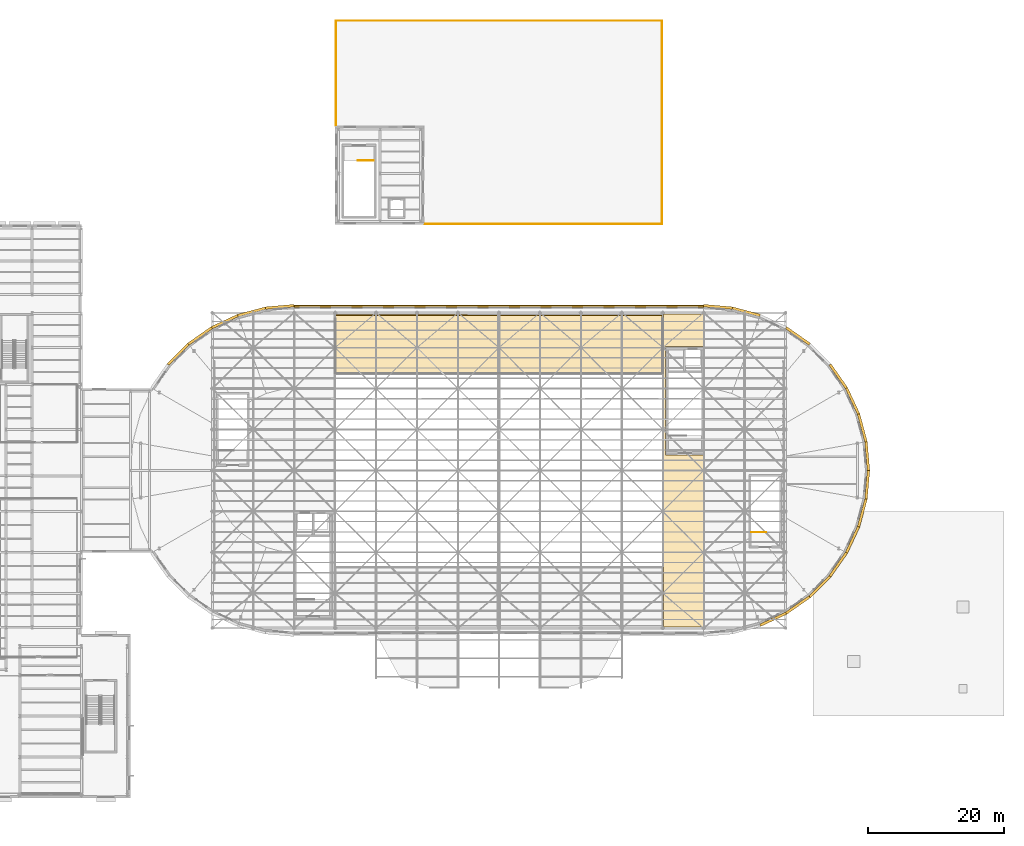
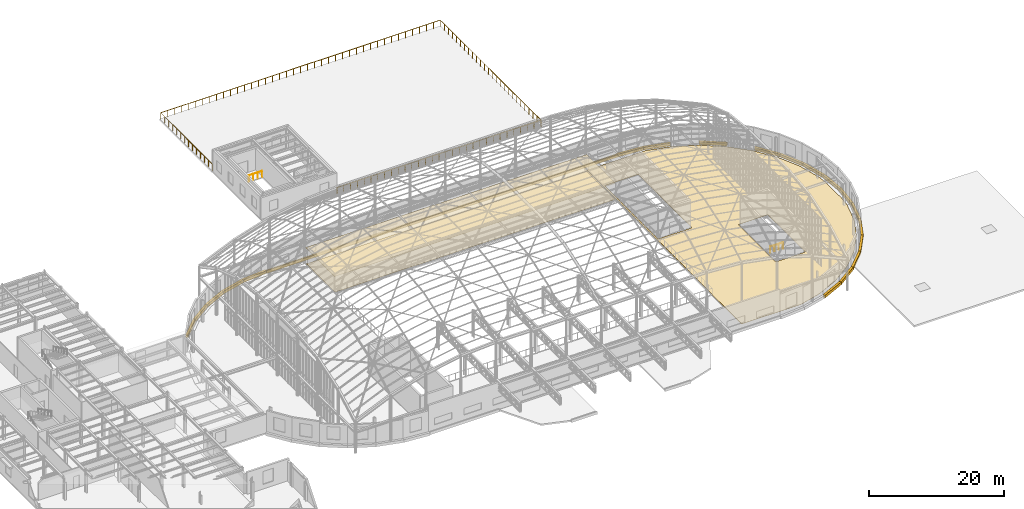
# One storey, part 74 of 75: 23 coverings, 3 railings.
"""IFC4 building model written with IfcOpenShell, lengths in metres."""

from ifc_helpers import new_model, si_unit, direction, frame, origin, origin_2d, place, context, subcontext, project, spatial, polyline, circle, outline, extrude, material, layer, layer_set, type_object, element, save


model = new_model("IFC4")

# Units and contexts
model_context = context("Model", 3, precision=1e-05, world=origin(), true_north=direction((0.0, 1.0)))
body_context = subcontext(model_context, "Body", "Model", "MODEL_VIEW")
ifc_project = project(units=[si_unit("LENGTHUNIT", "METRE"), si_unit("AREAUNIT", "SQUARE_METRE"), si_unit("VOLUMEUNIT", "CUBIC_METRE"), si_unit("PLANEANGLEUNIT", "RADIAN"), si_unit("MASSUNIT", "GRAM", prefix="KILO")], contexts=[model_context])

# Site, building, storey
site_placement = place(None, origin())
site = spatial("IfcSite", under=ifc_project, at=site_placement, CompositionType="ELEMENT")
building_placement = place(site_placement, origin())
building = spatial("IfcBuilding", under=site, at=building_placement, Name="Kolvaren Corner Interchange", CompositionType="ELEMENT")
storey_placement = place(building_placement, frame((0.0, 0.0, 10.5)))
storey = spatial("IfcBuildingStorey", under=building, at=storey_placement, Name="L03", CompositionType="ELEMENT", Elevation=10.5)

# Coverings
ifc_material_1 = material(Name="Suspended Acoustic Mineral-Fibre Ceiling")
ifc_layer_1 = layer(ifc_material_1, 0.02197265625)
ifc_layer_set_1 = layer_set([ifc_layer_1], Name="Suspended Acoustic Mineral-Fibre Ceiling")
covering_type_1 = type_object("IfcCoveringType", Name="COV-CEIL-AC22", PredefinedType="CEILING", material=ifc_layer_set_1)
covering_1_placement = place(storey_placement, frame((0.0, 0.0, 2.927978515625)))
element("IfcCovering", 1, at=covering_1_placement, inside=storey, type_object=covering_type_1, Name="L03 North Sky Lounge Suite Suspended Ceiling", PredefinedType="CEILING", context=body_context, shape_type="SweptSolid", body=[
    extrude(outline(polyline([(114.0, 62.179931640625), (114.02001953125, 70.800048828125), (66.0, 70.820068359375), (65.97998046875, 62.199951171875), (114.0, 62.179931640625)])), origin(), (0.0, 0.0, 1.0), 0.02197265625),
])
ifc_material_2 = material(Name="Polished Niger Delta Granite Terrazzo Flooring", Category="masonry")
ifc_layer_2 = layer(ifc_material_2, 0.030029296875)
ifc_layer_set_2 = layer_set([ifc_layer_2], Name="Polished Niger Delta Granite Terrazzo Flooring")
covering_type_2 = type_object("IfcCoveringType", Name="COV-FLR-TER30", PredefinedType="FLOORING", material=ifc_layer_set_2)
covering_2_placement = place(storey_placement, origin())
element("IfcCovering", 2, at=covering_2_placement, inside=storey, type_object=covering_type_2, Name="L03 East Sky Waiting Hall Floor Finish", PredefinedType="FLOORING", context=body_context, shape_type="SweptSolid", body=[
    extrude(outline(polyline([(114.080078125, 33.8759765625), (114.080078125, 25.080078125), (124.218994140625, 25.080078125), (127.975830078125, 26.086669921875), (131.659912109375, 27.804443359375), (134.989501953125, 30.135986328125), (137.864013671875, 33.010498046875), (140.195556640625, 36.340087890625), (141.913330078125, 40.024169921875), (142.96533203125, 43.950439453125), (143.1201171875, 45.717529296875), (143.1201171875, 50.282470703125), (142.96533203125, 52.049560546875), (141.913330078125, 55.975830078125), (140.195556640625, 59.659912109375), (137.864013671875, 62.989501953125), (134.989501953125, 65.864013671875), (131.659912109375, 68.195556640625), (127.975830078125, 69.913330078125), (124.218994140625, 70.919921875), (114.080078125, 70.919921875), (114.080078125, 62.1240234375), (114.116455078125, 62.094482421875), (114.1298828125, 62.050048828125), (114.1298828125, 33.949951171875), (114.116455078125, 33.905517578125), (114.080078125, 33.8759765625)]), holes=[polyline([(131.506591796875, 36.493408203125), (131.449951171875, 36.469970703125), (126.550048828125, 36.469970703125), (126.505615234375, 36.4833984375), (126.47607421875, 36.519287109375), (126.469970703125, 47.449951171875), (126.4833984375, 47.494384765625), (126.519287109375, 47.52392578125), (131.449951171875, 47.530029296875), (131.494384765625, 47.5166015625), (131.52392578125, 47.480712890625), (131.530029296875, 36.550048828125), (131.506591796875, 36.493408203125)]), polyline([(120.106689453125, 66.106689453125), (120.1298828125, 66.050048828125), (120.126708984375, 50.326904296875), (120.094482421875, 50.283447265625), (120.050048828125, 50.27001953125), (114.4267578125, 50.2734375), (114.383544921875, 50.3056640625), (114.3701171875, 50.35009765625), (114.373291015625, 66.0732421875), (114.405517578125, 66.116455078125), (114.449951171875, 66.1298828125), (120.050048828125, 66.1298828125), (120.106689453125, 66.106689453125)])]), origin(), (0.0, 0.0, 1.0), 0.030029296875),
])
covering_3_placement = place(storey_placement, origin())
element("IfcCovering", 3, at=covering_3_placement, inside=storey, type_object=covering_type_2, Name="L03 North Sky Lounge Suite Floor Finish", PredefinedType="FLOORING", context=body_context, shape_type="SweptSolid", body=[
    extrude(outline(polyline([(113.919921875, 62.280029296875), (113.919921875, 70.719970703125), (66.080078125, 70.719970703125), (66.080078125, 62.280029296875), (113.919921875, 62.280029296875)])), origin(), (0.0, 0.0, 1.0), 0.030029296875),
])
ifc_material_3 = material(Name="Glazed White Terracotta Fascia Cladding", Category="masonry")
ifc_layer_3 = layer(ifc_material_3, 0.0400390625)
ifc_layer_set_3 = layer_set([ifc_layer_3], Name="Glazed White Terracotta Fascia Cladding")
covering_type_3 = type_object("IfcCoveringType", Name="COV-WHT-CLAD40", PredefinedType="CLADDING", material=ifc_layer_set_3)
covering_4_placement = place(storey_placement, frame((0.0, 0.0, -0.320068359375)))
element("IfcCovering", 4, at=covering_4_placement, inside=storey, type_object=covering_type_3, Name="Racetrack North L03 White Band", PredefinedType="CLADDING", context=body_context, shape_type="SweptSolid", body=[
    extrude(outline(polyline([(60.0, 71.93994140625), (120.0, 71.93994140625), (120.0, 72.179931640625), (60.0, 72.179931640625), (60.0, 71.93994140625)])), origin(), (0.0, 0.0, 1.0), 0.5),
])
covering_5_placement = place(storey_placement, frame((0.0, 0.0, -0.320068359375)))
element("IfcCovering", 5, at=covering_5_placement, inside=storey, type_object=covering_type_3, Name="Racetrack West L03 Sweeping White Edge Band 01", PredefinedType="CLADDING", context=body_context, shape_type="SweptSolid", body=[
    extrude(outline(polyline([(60.0, 71.9599609375), (60.0, 72.340087890625), (55.7734375, 71.97021484375), (55.83935546875, 71.595947265625), (60.0, 71.9599609375)])), origin(), (0.0, 0.0, 1.0), 0.5),
])
covering_6_placement = place(storey_placement, frame((0.0, 0.0, -0.320068359375)))
element("IfcCovering", 6, at=covering_6_placement, inside=storey, type_object=covering_type_3, Name="Racetrack West L03 Sweeping White Edge Band 02", PredefinedType="CLADDING", context=body_context, shape_type="SweptSolid", body=[
    extrude(outline(polyline([(55.83935546875, 71.595947265625), (55.7734375, 71.97021484375), (51.67529296875, 70.8720703125), (51.80517578125, 70.514892578125), (55.83935546875, 71.595947265625)])), origin(), (0.0, 0.0, 1.0), 0.5),
])
covering_7_placement = place(storey_placement, frame((0.0, 0.0, -0.320068359375)))
element("IfcCovering", 7, at=covering_7_placement, inside=storey, type_object=covering_type_3, Name="Racetrack West L03 Sweeping White Edge Band 03", PredefinedType="CLADDING", context=body_context, shape_type="SweptSolid", body=[
    extrude(outline(polyline([(51.80517578125, 70.514892578125), (51.67529296875, 70.8720703125), (47.830078125, 69.0791015625), (48.02001953125, 68.75), (51.80517578125, 70.514892578125)])), origin(), (0.0, 0.0, 1.0), 0.5),
])
covering_8_placement = place(storey_placement, frame((0.0, 0.0, -0.320068359375)))
element("IfcCovering", 8, at=covering_8_placement, inside=storey, type_object=covering_type_3, Name="Racetrack West L03 Sweeping White Edge Band 04", PredefinedType="CLADDING", context=body_context, shape_type="SweptSolid", body=[
    extrude(outline(polyline([(48.02001953125, 68.75), (47.830078125, 69.0791015625), (44.3544921875, 66.6455078125), (44.598876953125, 66.3544921875), (48.02001953125, 68.75)])), origin(), (0.0, 0.0, 1.0), 0.5),
])
covering_9_placement = place(storey_placement, frame((0.0, 0.0, -0.320068359375)))
element("IfcCovering", 9, at=covering_9_placement, inside=storey, type_object=covering_type_3, Name="Racetrack West L03 Sweeping White Edge Band 05", PredefinedType="CLADDING", context=body_context, shape_type="SweptSolid", body=[
    extrude(outline(polyline([(44.598876953125, 66.3544921875), (44.3544921875, 66.6455078125), (41.3544921875, 63.6455078125), (41.6455078125, 63.401123046875), (44.598876953125, 66.3544921875)])), origin(), (0.0, 0.0, 1.0), 0.5),
])
covering_10_placement = place(storey_placement, frame((0.0, 0.0, -0.320068359375)))
element("IfcCovering", 10, at=covering_10_placement, inside=storey, type_object=covering_type_3, Name="Racetrack East L03 Sweeping White Edge Band 03", PredefinedType="CLADDING", context=body_context, shape_type="SweptSolid", body=[
    extrude(outline(polyline([(128.19482421875, 25.485107421875), (128.32470703125, 25.1279296875), (132.169921875, 26.9208984375), (131.97998046875, 27.25), (128.19482421875, 25.485107421875)])), origin(), (0.0, 0.0, 1.0), 0.5),
])
covering_11_placement = place(storey_placement, frame((0.0, 0.0, -0.320068359375)))
element("IfcCovering", 11, at=covering_11_placement, inside=storey, type_object=covering_type_3, Name="Racetrack East L03 Sweeping White Edge Band 04", PredefinedType="CLADDING", context=body_context, shape_type="SweptSolid", body=[
    extrude(outline(polyline([(131.97998046875, 27.25), (132.169921875, 26.9208984375), (135.6455078125, 29.3544921875), (135.401123046875, 29.6455078125), (131.97998046875, 27.25)])), origin(), (0.0, 0.0, 1.0), 0.5),
])
covering_12_placement = place(storey_placement, frame((0.0, 0.0, -0.320068359375)))
element("IfcCovering", 12, at=covering_12_placement, inside=storey, type_object=covering_type_3, Name="Racetrack East L03 Sweeping White Edge Band 05", PredefinedType="CLADDING", context=body_context, shape_type="SweptSolid", body=[
    extrude(outline(polyline([(135.401123046875, 29.6455078125), (135.6455078125, 29.3544921875), (138.6455078125, 32.3544921875), (138.3544921875, 32.598876953125), (135.401123046875, 29.6455078125)])), origin(), (0.0, 0.0, 1.0), 0.5),
])
covering_13_placement = place(storey_placement, frame((0.0, 0.0, -0.320068359375)))
element("IfcCovering", 13, at=covering_13_placement, inside=storey, type_object=covering_type_3, Name="Racetrack East L03 Sweeping White Edge Band 06", PredefinedType="CLADDING", context=body_context, shape_type="SweptSolid", body=[
    extrude(outline(polyline([(138.3544921875, 32.598876953125), (138.6455078125, 32.3544921875), (141.0791015625, 35.830078125), (140.75, 36.02001953125), (138.3544921875, 32.598876953125)])), origin(), (0.0, 0.0, 1.0), 0.5),
])
covering_14_placement = place(storey_placement, frame((0.0, 0.0, -0.320068359375)))
element("IfcCovering", 14, at=covering_14_placement, inside=storey, type_object=covering_type_3, Name="Racetrack East L03 Sweeping White Edge Band 07", PredefinedType="CLADDING", context=body_context, shape_type="SweptSolid", body=[
    extrude(outline(polyline([(140.75, 36.02001953125), (141.0791015625, 35.830078125), (142.8720703125, 39.67529296875), (142.514892578125, 39.80517578125), (140.75, 36.02001953125)])), origin(), (0.0, 0.0, 1.0), 0.5),
])
covering_15_placement = place(storey_placement, frame((0.0, 0.0, -0.320068359375)))
element("IfcCovering", 15, at=covering_15_placement, inside=storey, type_object=covering_type_3, Name="Racetrack East L03 Sweeping White Edge Band 08", PredefinedType="CLADDING", context=body_context, shape_type="SweptSolid", body=[
    extrude(outline(polyline([(142.514892578125, 39.80517578125), (142.8720703125, 39.67529296875), (143.97021484375, 43.7734375), (143.595947265625, 43.83935546875), (142.514892578125, 39.80517578125)])), origin(), (0.0, 0.0, 1.0), 0.5),
])
covering_16_placement = place(storey_placement, frame((0.0, 0.0, -0.320068359375)))
element("IfcCovering", 16, at=covering_16_placement, inside=storey, type_object=covering_type_3, Name="Racetrack East L03 Sweeping White Edge Band 09", PredefinedType="CLADDING", context=body_context, shape_type="SweptSolid", body=[
    extrude(outline(polyline([(143.595947265625, 43.83935546875), (143.97021484375, 43.7734375), (144.340087890625, 48.0), (143.9599609375, 48.0), (143.595947265625, 43.83935546875)])), origin(), (0.0, 0.0, 1.0), 0.5),
])
covering_17_placement = place(storey_placement, frame((0.0, 0.0, -0.320068359375)))
element("IfcCovering", 17, at=covering_17_placement, inside=storey, type_object=covering_type_3, Name="Racetrack East L03 Sweeping White Edge Band 10", PredefinedType="CLADDING", context=body_context, shape_type="SweptSolid", body=[
    extrude(outline(polyline([(143.9599609375, 48.0), (144.340087890625, 48.0), (143.97021484375, 52.2265625), (143.595947265625, 52.16064453125), (143.9599609375, 48.0)])), origin(), (0.0, 0.0, 1.0), 0.5),
])
covering_18_placement = place(storey_placement, frame((0.0, 0.0, -0.320068359375)))
element("IfcCovering", 18, at=covering_18_placement, inside=storey, type_object=covering_type_3, Name="Racetrack East L03 Sweeping White Edge Band 11", PredefinedType="CLADDING", context=body_context, shape_type="SweptSolid", body=[
    extrude(outline(polyline([(143.595947265625, 52.16064453125), (143.97021484375, 52.2265625), (142.8720703125, 56.32470703125), (142.514892578125, 56.19482421875), (143.595947265625, 52.16064453125)])), origin(), (0.0, 0.0, 1.0), 0.5),
])
covering_19_placement = place(storey_placement, frame((0.0, 0.0, -0.320068359375)))
element("IfcCovering", 19, at=covering_19_placement, inside=storey, type_object=covering_type_3, Name="Racetrack East L03 Sweeping White Edge Band 12", PredefinedType="CLADDING", context=body_context, shape_type="SweptSolid", body=[
    extrude(outline(polyline([(142.514892578125, 56.19482421875), (142.8720703125, 56.32470703125), (141.0791015625, 60.169921875), (140.75, 59.97998046875), (142.514892578125, 56.19482421875)])), origin(), (0.0, 0.0, 1.0), 0.5),
])
covering_20_placement = place(storey_placement, frame((0.0, 0.0, -0.320068359375)))
element("IfcCovering", 20, at=covering_20_placement, inside=storey, type_object=covering_type_3, Name="Racetrack East L03 Sweeping White Edge Band 13", PredefinedType="CLADDING", context=body_context, shape_type="SweptSolid", body=[
    extrude(outline(polyline([(140.75, 59.97998046875), (141.0791015625, 60.169921875), (138.6455078125, 63.6455078125), (138.3544921875, 63.401123046875), (140.75, 59.97998046875)])), origin(), (0.0, 0.0, 1.0), 0.5),
])
covering_21_placement = place(storey_placement, frame((0.0, 0.0, -0.320068359375)))
element("IfcCovering", 21, at=covering_21_placement, inside=storey, type_object=covering_type_3, Name="Racetrack East L03 Sweeping White Edge Band 15", PredefinedType="CLADDING", context=body_context, shape_type="SweptSolid", body=[
    extrude(outline(polyline([(135.401123046875, 66.3544921875), (135.6455078125, 66.6455078125), (132.169921875, 69.0791015625), (131.97998046875, 68.75), (135.401123046875, 66.3544921875)])), origin(), (0.0, 0.0, 1.0), 0.5),
])
covering_22_placement = place(storey_placement, frame((0.0, 0.0, -0.320068359375)))
element("IfcCovering", 22, at=covering_22_placement, inside=storey, type_object=covering_type_3, Name="Racetrack East L03 Sweeping White Edge Band 17", PredefinedType="CLADDING", context=body_context, shape_type="SweptSolid", body=[
    extrude(outline(polyline([(128.19482421875, 70.514892578125), (128.32470703125, 70.8720703125), (124.2265625, 71.97021484375), (124.16064453125, 71.595947265625), (128.19482421875, 70.514892578125)])), origin(), (0.0, 0.0, 1.0), 0.5),
])
covering_23_placement = place(storey_placement, frame((0.0, 0.0, -0.320068359375)))
element("IfcCovering", 23, at=covering_23_placement, inside=storey, type_object=covering_type_3, Name="Racetrack East L03 Sweeping White Edge Band 18", PredefinedType="CLADDING", context=body_context, shape_type="SweptSolid", body=[
    extrude(outline(polyline([(124.16064453125, 71.595947265625), (124.2265625, 71.97021484375), (120.0, 72.340087890625), (120.0, 71.9599609375), (124.16064453125, 71.595947265625)])), origin(), (0.0, 0.0, 1.0), 0.5),
])

# Railings
ifc_material_4 = material(Name="Powder-Coated Steel Stairwell Guardrail", Category="steel")
railing_type_1 = type_object("IfcRailingType", Name="RLT-STAIR-GRD1120", PredefinedType="GUARDRAIL", material=ifc_material_4)
railing_1_placement = place(storey_placement, frame((126.9599609375, 38.93994140625, 0.0)))
element("IfcRailing", 24, at=railing_1_placement, inside=storey, type_object=railing_type_1, Name="East Racetrack Concourse Gallery Stair L03 Landing Edge Guardrail", PredefinedType="GUARDRAIL", context=body_context, shape_type="SweptSolid", body=[
    extrude(circle(Radius=0.02392578125, at=origin_2d()), frame((0.0, 0.0, 1.09619140625), z_axis=(1.0, 0.0, 0.0), x_axis=(0.0, 1.0, 0.0)), (0.0, 0.0, 1.0), 2.179931640625),
    extrude(circle(Radius=0.02001953125, at=origin_2d()), origin(), (0.0, 0.0, 1.0), 1.072021484375),
    extrude(circle(Radius=0.02001953125, at=origin_2d()), frame((0.7265625, 0.0, 0.0)), (0.0, 0.0, 1.0), 1.072021484375),
    extrude(circle(Radius=0.02001953125, at=origin_2d()), frame((1.453369140625, 0.0, 0.0)), (0.0, 0.0, 1.0), 1.072021484375),
    extrude(circle(Radius=0.02001953125, at=origin_2d()), frame((2.179931640625, 0.0, 0.0)), (0.0, 0.0, 1.0), 1.072021484375),
])
railing_2_placement = place(storey_placement, frame((71.639892578125, 93.409912109375, 0.0)))
element("IfcRailing", 25, at=railing_2_placement, inside=storey, type_object=railing_type_1, Name="Cycle Hub West Pavilion Exit Stair L03 Landing Edge Guardrail", PredefinedType="GUARDRAIL", context=body_context, shape_type="SweptSolid", body=[
    extrude(circle(Radius=0.02392578125, at=origin_2d()), frame((0.0, 0.0, 1.09619140625), z_axis=(-1.0, 0.0, 0.0), x_axis=(0.0, -1.0, 0.0)), (0.0, 0.0, 1.0), 2.27978515625),
    extrude(circle(Radius=0.02001953125, at=origin_2d()), origin(), (0.0, 0.0, 1.0), 1.072021484375),
    extrude(circle(Radius=0.02001953125, at=origin_2d()), frame((-0.760009765625, 0.0, 0.0)), (0.0, 0.0, 1.0), 1.072021484375),
    extrude(circle(Radius=0.02001953125, at=origin_2d()), frame((-1.519775390625, 0.0, 0.0)), (0.0, 0.0, 1.0), 1.072021484375),
    extrude(circle(Radius=0.02001953125, at=origin_2d()), frame((-2.27978515625, 0.0, 0.0)), (0.0, 0.0, 1.0), 1.072021484375),
])
ifc_material_5 = material(Name="Anodised Aluminium and Laminated Glass Balustrade", Category="aluminium")
railing_type_2 = type_object("IfcRailingType", Name="RLT-TERR-BAL1150", PredefinedType="BALUSTRADE", material=ifc_material_5)
railing_3_placement = place(storey_placement, frame((79.0400390625, 84.1201171875, 0.0)))
element("IfcRailing", 26, at=railing_3_placement, inside=storey, type_object=railing_type_2, Name="Level 03 Cycle Roof Garden Perimeter Balustrade", PredefinedType="BALUSTRADE", context=body_context, shape_type="SweptSolid", body=[
    extrude(circle(Radius=0.02490234375, at=origin_2d()), frame((0.0, 0.0, 1.125), z_axis=(1.0, 0.0, 0.0), x_axis=(0.0, 1.0, 0.0)), (0.0, 0.0, 1.0), 34.83984375),
    extrude(circle(Radius=0.02490234375, at=origin_2d()), frame((34.83984375, 0.0, 1.125), z_axis=(0.0, 1.0, 0.0), x_axis=(-1.0, 0.0, 0.0)), (0.0, 0.0, 1.0), 29.759765625),
    extrude(circle(Radius=0.02490234375, at=origin_2d()), frame((34.83984375, 29.759765625, 1.125), z_axis=(-1.0, 0.0, 0.0), x_axis=(0.0, -1.0, 0.0)), (0.0, 0.0, 1.0), 47.759765625),
    extrude(circle(Radius=0.02490234375, at=origin_2d()), frame((-12.919921875, 29.759765625, 1.125), z_axis=(0.0, -1.0, 0.0), x_axis=(1.0, 0.0, 0.0)), (0.0, 0.0, 1.0), 15.33984375),
    extrude(circle(Radius=0.02197265625, at=origin_2d()), origin(), (0.0, 0.0, 1.0), 1.099853515625),
    extrude(circle(Radius=0.02197265625, at=origin_2d()), frame((1.161376953125, 0.0, 0.0)), (0.0, 0.0, 1.0), 1.099853515625),
    extrude(circle(Radius=0.02197265625, at=origin_2d()), frame((2.32275390625, 0.0, 0.0)), (0.0, 0.0, 1.0), 1.099853515625),
    extrude(circle(Radius=0.02197265625, at=origin_2d()), frame((3.48388671875, 0.0, 0.0)), (0.0, 0.0, 1.0), 1.099853515625),
    extrude(circle(Radius=0.02197265625, at=origin_2d()), frame((4.645263671875, 0.0, 0.0)), (0.0, 0.0, 1.0), 1.099853515625),
    extrude(circle(Radius=0.02197265625, at=origin_2d()), frame((5.806640625, 0.0, 0.0)), (0.0, 0.0, 1.0), 1.099853515625),
    extrude(circle(Radius=0.02197265625, at=origin_2d()), frame((6.968017578125, 0.0, 0.0)), (0.0, 0.0, 1.0), 1.099853515625),
    extrude(circle(Radius=0.02197265625, at=origin_2d()), frame((8.12939453125, 0.0, 0.0)), (0.0, 0.0, 1.0), 1.099853515625),
    extrude(circle(Radius=0.02197265625, at=origin_2d()), frame((9.29052734375, 0.0, 0.0)), (0.0, 0.0, 1.0), 1.099853515625),
    extrude(circle(Radius=0.02197265625, at=origin_2d()), frame((10.451904296875, 0.0, 0.0)), (0.0, 0.0, 1.0), 1.099853515625),
    extrude(circle(Radius=0.02197265625, at=origin_2d()), frame((11.61328125, 0.0, 0.0)), (0.0, 0.0, 1.0), 1.099853515625),
    extrude(circle(Radius=0.02197265625, at=origin_2d()), frame((12.774658203125, 0.0, 0.0)), (0.0, 0.0, 1.0), 1.099853515625),
    extrude(circle(Radius=0.02197265625, at=origin_2d()), frame((13.93603515625, 0.0, 0.0)), (0.0, 0.0, 1.0), 1.099853515625),
    extrude(circle(Radius=0.02197265625, at=origin_2d()), frame((15.09716796875, 0.0, 0.0)), (0.0, 0.0, 1.0), 1.099853515625),
    extrude(circle(Radius=0.02197265625, at=origin_2d()), frame((16.258544921875, 0.0, 0.0)), (0.0, 0.0, 1.0), 1.099853515625),
    extrude(circle(Radius=0.02197265625, at=origin_2d()), frame((17.419921875, 0.0, 0.0)), (0.0, 0.0, 1.0), 1.099853515625),
    extrude(circle(Radius=0.02197265625, at=origin_2d()), frame((18.581298828125, 0.0, 0.0)), (0.0, 0.0, 1.0), 1.099853515625),
    extrude(circle(Radius=0.02197265625, at=origin_2d()), frame((19.74267578125, 0.0, 0.0)), (0.0, 0.0, 1.0), 1.099853515625),
    extrude(circle(Radius=0.02197265625, at=origin_2d()), frame((20.90380859375, 0.0, 0.0)), (0.0, 0.0, 1.0), 1.099853515625),
    extrude(circle(Radius=0.02197265625, at=origin_2d()), frame((22.065185546875, 0.0, 0.0)), (0.0, 0.0, 1.0), 1.099853515625),
    extrude(circle(Radius=0.02197265625, at=origin_2d()), frame((23.2265625, 0.0, 0.0)), (0.0, 0.0, 1.0), 1.099853515625),
    extrude(circle(Radius=0.02197265625, at=origin_2d()), frame((24.387939453125, 0.0, 0.0)), (0.0, 0.0, 1.0), 1.099853515625),
    extrude(circle(Radius=0.02197265625, at=origin_2d()), frame((25.54931640625, 0.0, 0.0)), (0.0, 0.0, 1.0), 1.099853515625),
    extrude(circle(Radius=0.02197265625, at=origin_2d()), frame((26.71044921875, 0.0, 0.0)), (0.0, 0.0, 1.0), 1.099853515625),
    extrude(circle(Radius=0.02197265625, at=origin_2d()), frame((27.871826171875, 0.0, 0.0)), (0.0, 0.0, 1.0), 1.099853515625),
    extrude(circle(Radius=0.02197265625, at=origin_2d()), frame((29.033203125, 0.0, 0.0)), (0.0, 0.0, 1.0), 1.099853515625),
    extrude(circle(Radius=0.02197265625, at=origin_2d()), frame((30.194580078125, 0.0, 0.0)), (0.0, 0.0, 1.0), 1.099853515625),
    extrude(circle(Radius=0.02197265625, at=origin_2d()), frame((31.35595703125, 0.0, 0.0)), (0.0, 0.0, 1.0), 1.099853515625),
    extrude(circle(Radius=0.02197265625, at=origin_2d()), frame((32.51708984375, 0.0, 0.0)), (0.0, 0.0, 1.0), 1.099853515625),
    extrude(circle(Radius=0.02197265625, at=origin_2d()), frame((33.678466796875, 0.0, 0.0)), (0.0, 0.0, 1.0), 1.099853515625),
    extrude(circle(Radius=0.02197265625, at=origin_2d()), frame((34.83984375, 0.0, 0.0)), (0.0, 0.0, 1.0), 1.099853515625),
    extrude(circle(Radius=0.02197265625, at=origin_2d()), frame((34.83984375, 1.1904296875, 0.0)), (0.0, 0.0, 1.0), 1.099853515625),
    extrude(circle(Radius=0.02197265625, at=origin_2d()), frame((34.83984375, 2.380859375, 0.0)), (0.0, 0.0, 1.0), 1.099853515625),
    extrude(circle(Radius=0.02197265625, at=origin_2d()), frame((34.83984375, 3.5712890625, 0.0)), (0.0, 0.0, 1.0), 1.099853515625),
    extrude(circle(Radius=0.02197265625, at=origin_2d()), frame((34.83984375, 4.761474609375, 0.0)), (0.0, 0.0, 1.0), 1.099853515625),
    extrude(circle(Radius=0.02197265625, at=origin_2d()), frame((34.83984375, 5.951904296875, 0.0)), (0.0, 0.0, 1.0), 1.099853515625),
    extrude(circle(Radius=0.02197265625, at=origin_2d()), frame((34.83984375, 7.142333984375, 0.0)), (0.0, 0.0, 1.0), 1.099853515625),
    extrude(circle(Radius=0.02197265625, at=origin_2d()), frame((34.83984375, 8.332763671875, 0.0)), (0.0, 0.0, 1.0), 1.099853515625),
    extrude(circle(Radius=0.02197265625, at=origin_2d()), frame((34.83984375, 9.523193359375, 0.0)), (0.0, 0.0, 1.0), 1.099853515625),
    extrude(circle(Radius=0.02197265625, at=origin_2d()), frame((34.83984375, 10.713623046875, 0.0)), (0.0, 0.0, 1.0), 1.099853515625),
    extrude(circle(Radius=0.02197265625, at=origin_2d()), frame((34.83984375, 11.90380859375, 0.0)), (0.0, 0.0, 1.0), 1.099853515625),
    extrude(circle(Radius=0.02197265625, at=origin_2d()), frame((34.83984375, 13.09423828125, 0.0)), (0.0, 0.0, 1.0), 1.099853515625),
    extrude(circle(Radius=0.02197265625, at=origin_2d()), frame((34.83984375, 14.28466796875, 0.0)), (0.0, 0.0, 1.0), 1.099853515625),
    extrude(circle(Radius=0.02197265625, at=origin_2d()), frame((34.83984375, 15.47509765625, 0.0)), (0.0, 0.0, 1.0), 1.099853515625),
    extrude(circle(Radius=0.02197265625, at=origin_2d()), frame((34.83984375, 16.66552734375, 0.0)), (0.0, 0.0, 1.0), 1.099853515625),
    extrude(circle(Radius=0.02197265625, at=origin_2d()), frame((34.83984375, 17.85595703125, 0.0)), (0.0, 0.0, 1.0), 1.099853515625),
    extrude(circle(Radius=0.02197265625, at=origin_2d()), frame((34.83984375, 19.046142578125, 0.0)), (0.0, 0.0, 1.0), 1.099853515625),
    extrude(circle(Radius=0.02197265625, at=origin_2d()), frame((34.83984375, 20.236572265625, 0.0)), (0.0, 0.0, 1.0), 1.099853515625),
    extrude(circle(Radius=0.02197265625, at=origin_2d()), frame((34.83984375, 21.427001953125, 0.0)), (0.0, 0.0, 1.0), 1.099853515625),
    extrude(circle(Radius=0.02197265625, at=origin_2d()), frame((34.83984375, 22.617431640625, 0.0)), (0.0, 0.0, 1.0), 1.099853515625),
    extrude(circle(Radius=0.02197265625, at=origin_2d()), frame((34.83984375, 23.807861328125, 0.0)), (0.0, 0.0, 1.0), 1.099853515625),
    extrude(circle(Radius=0.02197265625, at=origin_2d()), frame((34.83984375, 24.998291015625, 0.0)), (0.0, 0.0, 1.0), 1.099853515625),
    extrude(circle(Radius=0.02197265625, at=origin_2d()), frame((34.83984375, 26.1884765625, 0.0)), (0.0, 0.0, 1.0), 1.099853515625),
    extrude(circle(Radius=0.02197265625, at=origin_2d()), frame((34.83984375, 27.37890625, 0.0)), (0.0, 0.0, 1.0), 1.099853515625),
    extrude(circle(Radius=0.02197265625, at=origin_2d()), frame((34.83984375, 28.5693359375, 0.0)), (0.0, 0.0, 1.0), 1.099853515625),
    extrude(circle(Radius=0.02197265625, at=origin_2d()), frame((34.83984375, 29.759765625, 0.0)), (0.0, 0.0, 1.0), 1.099853515625),
    extrude(circle(Radius=0.02197265625, at=origin_2d()), frame((33.645751953125, 29.759765625, 0.0)), (0.0, 0.0, 1.0), 1.099853515625),
    extrude(circle(Radius=0.02197265625, at=origin_2d()), frame((32.451904296875, 29.759765625, 0.0)), (0.0, 0.0, 1.0), 1.099853515625),
    extrude(circle(Radius=0.02197265625, at=origin_2d()), frame((31.2578125, 29.759765625, 0.0)), (0.0, 0.0, 1.0), 1.099853515625),
    extrude(circle(Radius=0.02197265625, at=origin_2d()), frame((30.06396484375, 29.759765625, 0.0)), (0.0, 0.0, 1.0), 1.099853515625),
    extrude(circle(Radius=0.02197265625, at=origin_2d()), frame((28.869873046875, 29.759765625, 0.0)), (0.0, 0.0, 1.0), 1.099853515625),
    extrude(circle(Radius=0.02197265625, at=origin_2d()), frame((27.67578125, 29.759765625, 0.0)), (0.0, 0.0, 1.0), 1.099853515625),
    extrude(circle(Radius=0.02197265625, at=origin_2d()), frame((26.48193359375, 29.759765625, 0.0)), (0.0, 0.0, 1.0), 1.099853515625),
    extrude(circle(Radius=0.02197265625, at=origin_2d()), frame((25.287841796875, 29.759765625, 0.0)), (0.0, 0.0, 1.0), 1.099853515625),
    extrude(circle(Radius=0.02197265625, at=origin_2d()), frame((24.093994140625, 29.759765625, 0.0)), (0.0, 0.0, 1.0), 1.099853515625),
    extrude(circle(Radius=0.02197265625, at=origin_2d()), frame((22.89990234375, 29.759765625, 0.0)), (0.0, 0.0, 1.0), 1.099853515625),
    extrude(circle(Radius=0.02197265625, at=origin_2d()), frame((21.705810546875, 29.759765625, 0.0)), (0.0, 0.0, 1.0), 1.099853515625),
    extrude(circle(Radius=0.02197265625, at=origin_2d()), frame((20.511962890625, 29.759765625, 0.0)), (0.0, 0.0, 1.0), 1.099853515625),
    extrude(circle(Radius=0.02197265625, at=origin_2d()), frame((19.31787109375, 29.759765625, 0.0)), (0.0, 0.0, 1.0), 1.099853515625),
    extrude(circle(Radius=0.02197265625, at=origin_2d()), frame((18.1240234375, 29.759765625, 0.0)), (0.0, 0.0, 1.0), 1.099853515625),
    extrude(circle(Radius=0.02197265625, at=origin_2d()), frame((16.929931640625, 29.759765625, 0.0)), (0.0, 0.0, 1.0), 1.099853515625),
    extrude(circle(Radius=0.02197265625, at=origin_2d()), frame((15.73583984375, 29.759765625, 0.0)), (0.0, 0.0, 1.0), 1.099853515625),
    extrude(circle(Radius=0.02197265625, at=origin_2d()), frame((14.5419921875, 29.759765625, 0.0)), (0.0, 0.0, 1.0), 1.099853515625),
    extrude(circle(Radius=0.02197265625, at=origin_2d()), frame((13.347900390625, 29.759765625, 0.0)), (0.0, 0.0, 1.0), 1.099853515625),
    extrude(circle(Radius=0.02197265625, at=origin_2d()), frame((12.154052734375, 29.759765625, 0.0)), (0.0, 0.0, 1.0), 1.099853515625),
    extrude(circle(Radius=0.02197265625, at=origin_2d()), frame((10.9599609375, 29.759765625, 0.0)), (0.0, 0.0, 1.0), 1.099853515625),
    extrude(circle(Radius=0.02197265625, at=origin_2d()), frame((9.765869140625, 29.759765625, 0.0)), (0.0, 0.0, 1.0), 1.099853515625),
    extrude(circle(Radius=0.02197265625, at=origin_2d()), frame((8.572021484375, 29.759765625, 0.0)), (0.0, 0.0, 1.0), 1.099853515625),
    extrude(circle(Radius=0.02197265625, at=origin_2d()), frame((7.3779296875, 29.759765625, 0.0)), (0.0, 0.0, 1.0), 1.099853515625),
    extrude(circle(Radius=0.02197265625, at=origin_2d()), frame((6.18408203125, 29.759765625, 0.0)), (0.0, 0.0, 1.0), 1.099853515625),
    extrude(circle(Radius=0.02197265625, at=origin_2d()), frame((4.989990234375, 29.759765625, 0.0)), (0.0, 0.0, 1.0), 1.099853515625),
    extrude(circle(Radius=0.02197265625, at=origin_2d()), frame((3.7958984375, 29.759765625, 0.0)), (0.0, 0.0, 1.0), 1.099853515625),
    extrude(circle(Radius=0.02197265625, at=origin_2d()), frame((2.60205078125, 29.759765625, 0.0)), (0.0, 0.0, 1.0), 1.099853515625),
    extrude(circle(Radius=0.02197265625, at=origin_2d()), frame((1.407958984375, 29.759765625, 0.0)), (0.0, 0.0, 1.0), 1.099853515625),
    extrude(circle(Radius=0.02197265625, at=origin_2d()), frame((0.214111328125, 29.759765625, 0.0)), (0.0, 0.0, 1.0), 1.099853515625),
    extrude(circle(Radius=0.02197265625, at=origin_2d()), frame((-0.97998046875, 29.759765625, 0.0)), (0.0, 0.0, 1.0), 1.099853515625),
    extrude(circle(Radius=0.02197265625, at=origin_2d()), frame((-2.174072265625, 29.759765625, 0.0)), (0.0, 0.0, 1.0), 1.099853515625),
    extrude(circle(Radius=0.02197265625, at=origin_2d()), frame((-3.367919921875, 29.759765625, 0.0)), (0.0, 0.0, 1.0), 1.099853515625),
    extrude(circle(Radius=0.02197265625, at=origin_2d()), frame((-4.56201171875, 29.759765625, 0.0)), (0.0, 0.0, 1.0), 1.099853515625),
    extrude(circle(Radius=0.02197265625, at=origin_2d()), frame((-5.755859375, 29.759765625, 0.0)), (0.0, 0.0, 1.0), 1.099853515625),
    extrude(circle(Radius=0.02197265625, at=origin_2d()), frame((-6.949951171875, 29.759765625, 0.0)), (0.0, 0.0, 1.0), 1.099853515625),
    extrude(circle(Radius=0.02197265625, at=origin_2d()), frame((-8.14404296875, 29.759765625, 0.0)), (0.0, 0.0, 1.0), 1.099853515625),
    extrude(circle(Radius=0.02197265625, at=origin_2d()), frame((-9.337890625, 29.759765625, 0.0)), (0.0, 0.0, 1.0), 1.099853515625),
    extrude(circle(Radius=0.02197265625, at=origin_2d()), frame((-10.531982421875, 29.759765625, 0.0)), (0.0, 0.0, 1.0), 1.099853515625),
    extrude(circle(Radius=0.02197265625, at=origin_2d()), frame((-11.725830078125, 29.759765625, 0.0)), (0.0, 0.0, 1.0), 1.099853515625),
    extrude(circle(Radius=0.02197265625, at=origin_2d()), frame((-12.919921875, 29.759765625, 0.0)), (0.0, 0.0, 1.0), 1.099853515625),
    extrude(circle(Radius=0.02197265625, at=origin_2d()), frame((-12.919921875, 28.579833984375, 0.0)), (0.0, 0.0, 1.0), 1.099853515625),
    extrude(circle(Radius=0.02197265625, at=origin_2d()), frame((-12.919921875, 27.39990234375, 0.0)), (0.0, 0.0, 1.0), 1.099853515625),
    extrude(circle(Radius=0.02197265625, at=origin_2d()), frame((-12.919921875, 26.2197265625, 0.0)), (0.0, 0.0, 1.0), 1.099853515625),
    extrude(circle(Radius=0.02197265625, at=origin_2d()), frame((-12.919921875, 25.039794921875, 0.0)), (0.0, 0.0, 1.0), 1.099853515625),
    extrude(circle(Radius=0.02197265625, at=origin_2d()), frame((-12.919921875, 23.85986328125, 0.0)), (0.0, 0.0, 1.0), 1.099853515625),
    extrude(circle(Radius=0.02197265625, at=origin_2d()), frame((-12.919921875, 22.679931640625, 0.0)), (0.0, 0.0, 1.0), 1.099853515625),
    extrude(circle(Radius=0.02197265625, at=origin_2d()), frame((-12.919921875, 21.499755859375, 0.0)), (0.0, 0.0, 1.0), 1.099853515625),
    extrude(circle(Radius=0.02197265625, at=origin_2d()), frame((-12.919921875, 20.31982421875, 0.0)), (0.0, 0.0, 1.0), 1.099853515625),
    extrude(circle(Radius=0.02197265625, at=origin_2d()), frame((-12.919921875, 19.139892578125, 0.0)), (0.0, 0.0, 1.0), 1.099853515625),
    extrude(circle(Radius=0.02197265625, at=origin_2d()), frame((-12.919921875, 17.9599609375, 0.0)), (0.0, 0.0, 1.0), 1.099853515625),
    extrude(circle(Radius=0.02197265625, at=origin_2d()), frame((-12.919921875, 16.77978515625, 0.0)), (0.0, 0.0, 1.0), 1.099853515625),
    extrude(circle(Radius=0.02197265625, at=origin_2d()), frame((-12.919921875, 15.599853515625, 0.0)), (0.0, 0.0, 1.0), 1.099853515625),
    extrude(circle(Radius=0.02197265625, at=origin_2d()), frame((-12.919921875, 14.419921875, 0.0)), (0.0, 0.0, 1.0), 1.099853515625),
])

save(model, "model.ifc")
